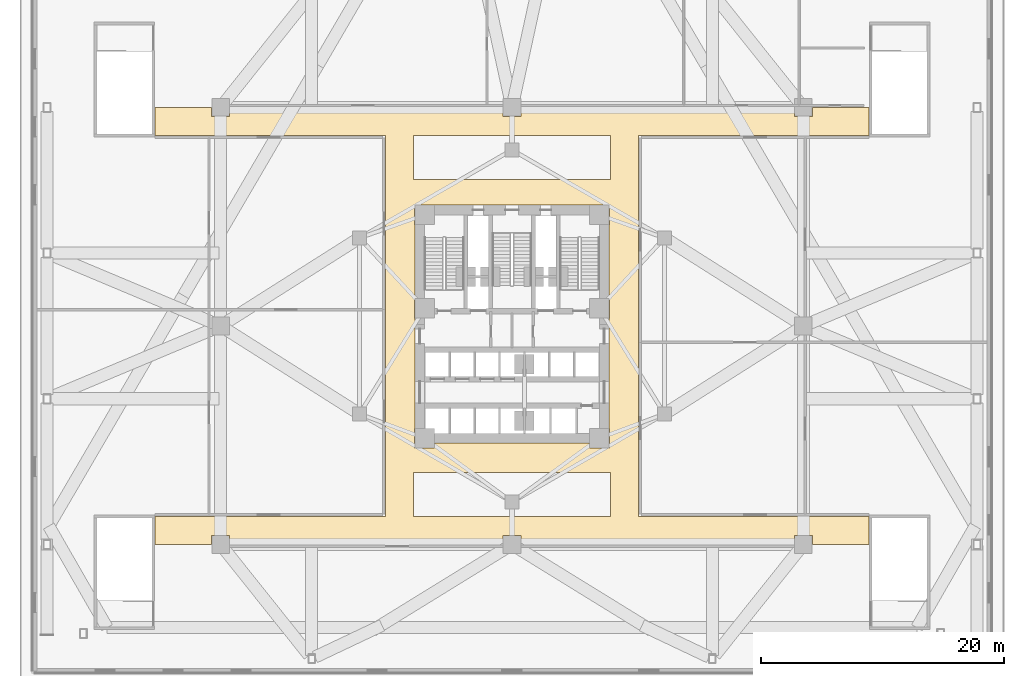
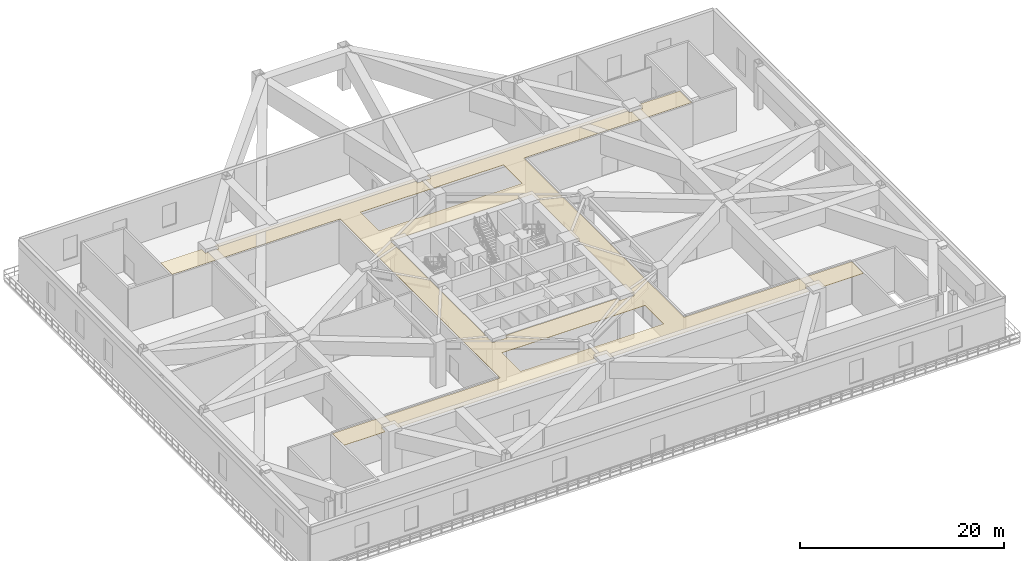
# One storey, part 12 of 15: 1 covering.
"""IFC4 building model written with IfcOpenShell, lengths in metres."""

from ifc_helpers import new_model, si_unit, direction, frame, origin, place, context, subcontext, project, spatial, polyline, outline, extrude, material, layer, layer_set, type_object, element, save


model = new_model("IFC4")

# Units and contexts
model_context = context("Model", 3, precision=1e-05, world=origin(), true_north=direction((0.0, 1.0)))
body_context = subcontext(model_context, "Body", "Model", "MODEL_VIEW")
ifc_project = project(units=[si_unit("LENGTHUNIT", "METRE"), si_unit("AREAUNIT", "SQUARE_METRE"), si_unit("VOLUMEUNIT", "CUBIC_METRE"), si_unit("PLANEANGLEUNIT", "RADIAN"), si_unit("MASSUNIT", "GRAM", prefix="KILO")], contexts=[model_context])

# Site, building, storey
site_placement = place(None, origin())
site = spatial("IfcSite", under=ifc_project, at=site_placement, CompositionType="ELEMENT")
building_placement = place(site_placement, origin())
building = spatial("IfcBuilding", under=site, at=building_placement, Name="Apsidion Concourse Tower", CompositionType="ELEMENT")
storey_placement = place(building_placement, frame((0.0, 0.0, 23.5)))
storey = spatial("IfcBuildingStorey", under=building, at=storey_placement, Name="L04", CompositionType="ELEMENT", Elevation=23.5)

# Covering
ifc_material = material(Name="Acoustic mineral fibre ceiling")
ifc_layer = layer(ifc_material, 0.0400390625)
ifc_layer_set = layer_set([ifc_layer], Name="Acoustic mineral fibre ceiling")
covering_type = type_object("IfcCoveringType", Name="COV-CEIL-40", PredefinedType="CEILING", material=ifc_layer_set)
covering_placement = place(storey_placement, frame((0.0, 0.0, 5.050048828125)))
element("IfcCovering", 1, at=covering_placement, inside=storey, type_object=covering_type, Name="L04 Acoustic Ceiling Grid 2", PredefinedType="CEILING", context=body_context, shape_type="SweptSolid", body=[
    extrude(outline(polyline([(8.10009765625, -18.0), (0.7451171875, -18.0), (0.7451171875, -17.27490234375), (0.744873046875, -17.27294921875), (0.74462890625, -17.27099609375), (0.744140625, -17.269287109375), (0.743408203125, -17.267333984375), (0.74267578125, -17.265625), (0.74169921875, -17.263916015625), (0.740478515625, -17.26220703125), (0.739013671875, -17.260986328125), (0.73779296875, -17.259521484375), (0.736083984375, -17.25830078125), (0.734375, -17.25732421875), (0.732666015625, -17.256591796875), (0.730712890625, -17.255859375), (0.72900390625, -17.25537109375), (0.72705078125, -17.255126953125), (0.72509765625, -17.2548828125), (-0.72509765625, -17.2548828125), (-0.72705078125, -17.255126953125), (-0.72900390625, -17.25537109375), (-0.730712890625, -17.255859375), (-0.732666015625, -17.256591796875), (-0.734375, -17.25732421875), (-0.736083984375, -17.25830078125), (-0.73779296875, -17.259521484375), (-0.739013671875, -17.260986328125), (-0.740478515625, -17.26220703125), (-0.74169921875, -17.263916015625), (-0.74267578125, -17.265625), (-0.743408203125, -17.267333984375), (-0.744140625, -17.269287109375), (-0.74462890625, -17.27099609375), (-0.744873046875, -17.27294921875), (-0.7451171875, -17.27490234375), (-0.7451171875, -18.0), (-8.10009765625, -18.0), (-10.39990234375, -18.0), (-23.2548828125, -18.0), (-23.2548828125, -17.27490234375), (-23.255126953125, -17.27294921875), (-23.25537109375, -17.27099609375), (-23.255859375, -17.269287109375), (-23.256591796875, -17.267333984375), (-23.25732421875, -17.265625), (-23.25830078125, -17.263916015625), (-23.259521484375, -17.26220703125), (-23.260986328125, -17.260986328125), (-23.26220703125, -17.259521484375), (-23.263916015625, -17.25830078125), (-23.265625, -17.25732421875), (-23.267333984375, -17.256591796875), (-23.269287109375, -17.255859375), (-23.27099609375, -17.25537109375), (-23.27294921875, -17.255126953125), (-23.27490234375, -17.2548828125), (-24.72509765625, -17.2548828125), (-24.72705078125, -17.255126953125), (-24.72900390625, -17.25537109375), (-24.730712890625, -17.255859375), (-24.732666015625, -17.256591796875), (-24.734375, -17.25732421875), (-24.736083984375, -17.25830078125), (-24.73779296875, -17.259521484375), (-24.739013671875, -17.260986328125), (-24.740478515625, -17.26220703125), (-24.74169921875, -17.263916015625), (-24.74267578125, -17.265625), (-24.743408203125, -17.267333984375), (-24.744140625, -17.269287109375), (-24.74462890625, -17.27099609375), (-24.744873046875, -17.27294921875), (-24.7451171875, -17.27490234375), (-24.7451171875, -18.0), (-29.39990234375, -18.0), (-29.39990234375, -15.699951171875), (-10.39990234375, -15.699951171875), (-10.39990234375, -12.050048828125), (-10.39990234375, 12.050048828125), (-10.39990234375, 15.699951171875), (-29.39990234375, 15.699951171875), (-29.39990234375, 18.0), (-24.7451171875, 18.0), (-24.7451171875, 17.27490234375), (-24.744873046875, 17.27294921875), (-24.74462890625, 17.27099609375), (-24.744140625, 17.269287109375), (-24.743408203125, 17.267333984375), (-24.74267578125, 17.265625), (-24.74169921875, 17.263916015625), (-24.740478515625, 17.26220703125), (-24.739013671875, 17.260986328125), (-24.73779296875, 17.259521484375), (-24.736083984375, 17.25830078125), (-24.734375, 17.25732421875), (-24.732666015625, 17.256591796875), (-24.730712890625, 17.255859375), (-24.72900390625, 17.25537109375), (-24.72705078125, 17.255126953125), (-24.72509765625, 17.2548828125), (-23.27490234375, 17.2548828125), (-23.27294921875, 17.255126953125), (-23.27099609375, 17.25537109375), (-23.269287109375, 17.255859375), (-23.267333984375, 17.256591796875), (-23.265625, 17.25732421875), (-23.263916015625, 17.25830078125), (-23.26220703125, 17.259521484375), (-23.260986328125, 17.260986328125), (-23.259521484375, 17.26220703125), (-23.25830078125, 17.263916015625), (-23.25732421875, 17.265625), (-23.256591796875, 17.267333984375), (-23.255859375, 17.269287109375), (-23.25537109375, 17.27099609375), (-23.255126953125, 17.27294921875), (-23.2548828125, 17.27490234375), (-23.2548828125, 18.0), (-10.39990234375, 18.0), (-8.10009765625, 18.0), (-0.7451171875, 18.0), (-0.7451171875, 17.27490234375), (-0.744873046875, 17.27294921875), (-0.74462890625, 17.27099609375), (-0.744140625, 17.269287109375), (-0.743408203125, 17.267333984375), (-0.74267578125, 17.265625), (-0.74169921875, 17.263916015625), (-0.740478515625, 17.26220703125), (-0.739013671875, 17.260986328125), (-0.73779296875, 17.259521484375), (-0.736083984375, 17.25830078125), (-0.734375, 17.25732421875), (-0.732666015625, 17.256591796875), (-0.730712890625, 17.255859375), (-0.72900390625, 17.25537109375), (-0.72705078125, 17.255126953125), (-0.72509765625, 17.2548828125), (0.72509765625, 17.2548828125), (0.72705078125, 17.255126953125), (0.72900390625, 17.25537109375), (0.730712890625, 17.255859375), (0.732666015625, 17.256591796875), (0.734375, 17.25732421875), (0.736083984375, 17.25830078125), (0.73779296875, 17.259521484375), (0.739013671875, 17.260986328125), (0.740478515625, 17.26220703125), (0.74169921875, 17.263916015625), (0.74267578125, 17.265625), (0.743408203125, 17.267333984375), (0.744140625, 17.269287109375), (0.74462890625, 17.27099609375), (0.744873046875, 17.27294921875), (0.7451171875, 17.27490234375), (0.7451171875, 18.0), (8.10009765625, 18.0), (10.39990234375, 18.0), (23.2548828125, 18.0), (23.2548828125, 17.27490234375), (23.255126953125, 17.27294921875), (23.25537109375, 17.27099609375), (23.255859375, 17.269287109375), (23.256591796875, 17.267333984375), (23.25732421875, 17.265625), (23.25830078125, 17.263916015625), (23.259521484375, 17.26220703125), (23.260986328125, 17.260986328125), (23.26220703125, 17.259521484375), (23.263916015625, 17.25830078125), (23.265625, 17.25732421875), (23.267333984375, 17.256591796875), (23.269287109375, 17.255859375), (23.27099609375, 17.25537109375), (23.27294921875, 17.255126953125), (23.27490234375, 17.2548828125), (24.72509765625, 17.2548828125), (24.72705078125, 17.255126953125), (24.72900390625, 17.25537109375), (24.730712890625, 17.255859375), (24.732666015625, 17.256591796875), (24.734375, 17.25732421875), (24.736083984375, 17.25830078125), (24.73779296875, 17.259521484375), (24.739013671875, 17.260986328125), (24.740478515625, 17.26220703125), (24.74169921875, 17.263916015625), (24.74267578125, 17.265625), (24.743408203125, 17.267333984375), (24.744140625, 17.269287109375), (24.74462890625, 17.27099609375), (24.744873046875, 17.27294921875), (24.7451171875, 17.27490234375), (24.7451171875, 18.0), (29.39990234375, 18.0), (29.39990234375, 15.699951171875), (10.39990234375, 15.699951171875), (10.39990234375, 12.050048828125), (10.39990234375, -12.050048828125), (10.39990234375, -15.699951171875), (29.39990234375, -15.699951171875), (29.39990234375, -18.0), (24.7451171875, -18.0), (24.7451171875, -17.27490234375), (24.744873046875, -17.27294921875), (24.74462890625, -17.27099609375), (24.744140625, -17.269287109375), (24.743408203125, -17.267333984375), (24.74267578125, -17.265625), (24.74169921875, -17.263916015625), (24.740478515625, -17.26220703125), (24.739013671875, -17.260986328125), (24.73779296875, -17.259521484375), (24.736083984375, -17.25830078125), (24.734375, -17.25732421875), (24.732666015625, -17.256591796875), (24.730712890625, -17.255859375), (24.72900390625, -17.25537109375), (24.72705078125, -17.255126953125), (24.72509765625, -17.2548828125), (23.27490234375, -17.2548828125), (23.27294921875, -17.255126953125), (23.27099609375, -17.25537109375), (23.269287109375, -17.255859375), (23.267333984375, -17.256591796875), (23.265625, -17.25732421875), (23.263916015625, -17.25830078125), (23.26220703125, -17.259521484375), (23.260986328125, -17.260986328125), (23.259521484375, -17.26220703125), (23.25830078125, -17.263916015625), (23.25732421875, -17.265625), (23.256591796875, -17.267333984375), (23.255859375, -17.269287109375), (23.25537109375, -17.27099609375), (23.255126953125, -17.27294921875), (23.2548828125, -17.27490234375), (23.2548828125, -18.0), (10.39990234375, -18.0), (8.10009765625, -18.0)]), holes=[polyline([(8.10009765625, -12.050048828125), (-8.10009765625, -12.050048828125), (-8.10009765625, -15.699951171875), (8.10009765625, -15.699951171875), (8.10009765625, -12.050048828125)]), polyline([(-8.10009765625, 15.699951171875), (-8.10009765625, 12.050048828125), (8.10009765625, 12.050048828125), (8.10009765625, 15.699951171875), (-8.10009765625, 15.699951171875)]), polyline([(6.3798828125, -9.64990234375), (6.3798828125, -10.050048828125), (6.380126953125, -10.052001953125), (6.38037109375, -10.053955078125), (6.380859375, -10.055908203125), (6.381591796875, -10.0576171875), (6.38232421875, -10.059326171875), (6.38330078125, -10.06103515625), (6.384521484375, -10.062744140625), (6.385986328125, -10.064208984375), (6.38720703125, -10.0654296875), (6.388916015625, -10.066650390625), (6.390625, -10.067626953125), (6.392333984375, -10.068603515625), (6.394287109375, -10.069091796875), (6.39599609375, -10.069580078125), (6.39794921875, -10.06982421875), (6.39990234375, -10.070068359375), (8.0, -10.070068359375), (8.001953125, -10.06982421875), (8.00390625, -10.069580078125), (8.005859375, -10.069091796875), (8.0078125, -10.068603515625), (8.009521484375, -10.067626953125), (8.010986328125, -10.066650390625), (8.0126953125, -10.0654296875), (8.01416015625, -10.064208984375), (8.015380859375, -10.062744140625), (8.0166015625, -10.06103515625), (8.017578125, -10.059326171875), (8.0185546875, -10.0576171875), (8.01904296875, -10.055908203125), (8.01953125, -10.053955078125), (8.02001953125, -10.052001953125), (8.02001953125, -10.050048828125), (8.02001953125, -8.449951171875), (8.02001953125, -8.447998046875), (8.01953125, -8.446044921875), (8.01904296875, -8.444091796875), (8.0185546875, -8.4423828125), (8.017578125, -8.440673828125), (8.0166015625, -8.43896484375), (8.015380859375, -8.437255859375), (8.01416015625, -8.435791015625), (8.0126953125, -8.4345703125), (8.010986328125, -8.433349609375), (8.009521484375, -8.432373046875), (8.0078125, -8.431396484375), (8.005859375, -8.430908203125), (8.00390625, -8.430419921875), (8.001953125, -8.43017578125), (8.0, -8.429931640625), (8.0, 0.6298828125), (8.001953125, 0.630126953125), (8.00390625, 0.63037109375), (8.005859375, 0.630859375), (8.0078125, 0.631591796875), (8.009521484375, 0.63232421875), (8.010986328125, 0.63330078125), (8.0126953125, 0.634521484375), (8.01416015625, 0.635986328125), (8.015380859375, 0.63720703125), (8.0166015625, 0.638916015625), (8.017578125, 0.640625), (8.0185546875, 0.642333984375), (8.01904296875, 0.644287109375), (8.01953125, 0.64599609375), (8.02001953125, 0.64794921875), (8.02001953125, 0.64990234375), (8.02001953125, 2.25), (8.02001953125, 2.251953125), (8.01953125, 2.25390625), (8.01904296875, 2.255859375), (8.0185546875, 2.2578125), (8.017578125, 2.259521484375), (8.0166015625, 2.260986328125), (8.015380859375, 2.2626953125), (8.01416015625, 2.26416015625), (8.0126953125, 2.265380859375), (8.010986328125, 2.2666015625), (8.009521484375, 2.267578125), (8.0078125, 2.2685546875), (8.005859375, 2.26904296875), (8.00390625, 2.26953125), (8.001953125, 2.27001953125), (8.0, 2.27001953125), (8.0, 8.330078125), (8.001953125, 8.330078125), (8.00390625, 8.330322265625), (8.005859375, 8.330810546875), (8.0078125, 8.33154296875), (8.009521484375, 8.33251953125), (8.010986328125, 8.33349609375), (8.0126953125, 8.33447265625), (8.01416015625, 8.3359375), (8.015380859375, 8.33740234375), (8.0166015625, 8.3388671875), (8.017578125, 8.340576171875), (8.0185546875, 8.34228515625), (8.01904296875, 8.34423828125), (8.01953125, 8.34619140625), (8.02001953125, 8.347900390625), (8.02001953125, 8.35009765625), (8.02001953125, 9.949951171875), (8.02001953125, 9.951904296875), (8.01953125, 9.953857421875), (8.01904296875, 9.955810546875), (8.0185546875, 9.957763671875), (8.017578125, 9.95947265625), (8.0166015625, 9.961181640625), (8.015380859375, 9.962646484375), (8.01416015625, 9.964111328125), (8.0126953125, 9.965576171875), (8.010986328125, 9.966552734375), (8.009521484375, 9.967529296875), (8.0078125, 9.968505859375), (8.005859375, 9.968994140625), (8.00390625, 9.969482421875), (8.001953125, 9.969970703125), (8.0, 9.969970703125), (6.39990234375, 9.969970703125), (6.39794921875, 9.969970703125), (6.39599609375, 9.969482421875), (6.394287109375, 9.968994140625), (6.392333984375, 9.968505859375), (6.390625, 9.967529296875), (6.388916015625, 9.966552734375), (6.38720703125, 9.965576171875), (6.385986328125, 9.964111328125), (6.384521484375, 9.962646484375), (6.38330078125, 9.961181640625), (6.38232421875, 9.95947265625), (6.381591796875, 9.957763671875), (6.380859375, 9.955810546875), (6.38037109375, 9.953857421875), (6.380126953125, 9.951904296875), (6.3798828125, 9.949951171875), (6.3798828125, 9.949951171875), (-6.3798828125, 9.949951171875), (-6.3798828125, 9.949951171875), (-6.380126953125, 9.951904296875), (-6.38037109375, 9.953857421875), (-6.380859375, 9.955810546875), (-6.381591796875, 9.957763671875), (-6.38232421875, 9.95947265625), (-6.38330078125, 9.961181640625), (-6.384521484375, 9.962646484375), (-6.385986328125, 9.964111328125), (-6.38720703125, 9.965576171875), (-6.388916015625, 9.966552734375), (-6.390625, 9.967529296875), (-6.392333984375, 9.968505859375), (-6.394287109375, 9.968994140625), (-6.39599609375, 9.969482421875), (-6.39794921875, 9.969970703125), (-6.39990234375, 9.969970703125), (-8.0, 9.969970703125), (-8.001953125, 9.969970703125), (-8.00390625, 9.969482421875), (-8.005859375, 9.968994140625), (-8.0078125, 9.968505859375), (-8.009521484375, 9.967529296875), (-8.010986328125, 9.966552734375), (-8.0126953125, 9.965576171875), (-8.01416015625, 9.964111328125), (-8.015380859375, 9.962646484375), (-8.0166015625, 9.961181640625), (-8.017578125, 9.95947265625), (-8.0185546875, 9.957763671875), (-8.01904296875, 9.955810546875), (-8.01953125, 9.953857421875), (-8.02001953125, 9.951904296875), (-8.02001953125, 9.949951171875), (-8.02001953125, 8.35009765625), (-8.02001953125, 8.347900390625), (-8.01953125, 8.34619140625), (-8.01904296875, 8.34423828125), (-8.0185546875, 8.34228515625), (-8.017578125, 8.340576171875), (-8.0166015625, 8.3388671875), (-8.015380859375, 8.33740234375), (-8.01416015625, 8.3359375), (-8.0126953125, 8.33447265625), (-8.010986328125, 8.33349609375), (-8.009521484375, 8.33251953125), (-8.0078125, 8.33154296875), (-8.005859375, 8.330810546875), (-8.00390625, 8.330322265625), (-8.001953125, 8.330078125), (-8.0, 8.330078125), (-8.0, 2.27001953125), (-8.001953125, 2.27001953125), (-8.00390625, 2.26953125), (-8.005859375, 2.26904296875), (-8.0078125, 2.2685546875), (-8.009521484375, 2.267578125), (-8.010986328125, 2.2666015625), (-8.0126953125, 2.265380859375), (-8.01416015625, 2.26416015625), (-8.015380859375, 2.2626953125), (-8.0166015625, 2.260986328125), (-8.017578125, 2.259521484375), (-8.0185546875, 2.2578125), (-8.01904296875, 2.255859375), (-8.01953125, 2.25390625), (-8.02001953125, 2.251953125), (-8.02001953125, 2.25), (-8.02001953125, 0.64990234375), (-8.02001953125, 0.64794921875), (-8.01953125, 0.64599609375), (-8.01904296875, 0.644287109375), (-8.0185546875, 0.642333984375), (-8.017578125, 0.640625), (-8.0166015625, 0.638916015625), (-8.015380859375, 0.63720703125), (-8.01416015625, 0.635986328125), (-8.0126953125, 0.634521484375), (-8.010986328125, 0.63330078125), (-8.009521484375, 0.63232421875), (-8.0078125, 0.631591796875), (-8.005859375, 0.630859375), (-8.00390625, 0.63037109375), (-8.001953125, 0.630126953125), (-8.0, 0.6298828125), (-8.0, -8.429931640625), (-8.001953125, -8.43017578125), (-8.00390625, -8.430419921875), (-8.005859375, -8.430908203125), (-8.0078125, -8.431396484375), (-8.009521484375, -8.432373046875), (-8.010986328125, -8.433349609375), (-8.0126953125, -8.4345703125), (-8.01416015625, -8.435791015625), (-8.015380859375, -8.437255859375), (-8.0166015625, -8.43896484375), (-8.017578125, -8.440673828125), (-8.0185546875, -8.4423828125), (-8.01904296875, -8.444091796875), (-8.01953125, -8.446044921875), (-8.02001953125, -8.447998046875), (-8.02001953125, -8.449951171875), (-8.02001953125, -10.050048828125), (-8.02001953125, -10.052001953125), (-8.01953125, -10.053955078125), (-8.01904296875, -10.055908203125), (-8.0185546875, -10.0576171875), (-8.017578125, -10.059326171875), (-8.0166015625, -10.06103515625), (-8.015380859375, -10.062744140625), (-8.01416015625, -10.064208984375), (-8.0126953125, -10.0654296875), (-8.010986328125, -10.066650390625), (-8.009521484375, -10.067626953125), (-8.0078125, -10.068603515625), (-8.005859375, -10.069091796875), (-8.00390625, -10.069580078125), (-8.001953125, -10.06982421875), (-8.0, -10.070068359375), (-6.39990234375, -10.070068359375), (-6.39794921875, -10.06982421875), (-6.39599609375, -10.069580078125), (-6.394287109375, -10.069091796875), (-6.392333984375, -10.068603515625), (-6.390625, -10.067626953125), (-6.388916015625, -10.066650390625), (-6.38720703125, -10.0654296875), (-6.385986328125, -10.064208984375), (-6.384521484375, -10.062744140625), (-6.38330078125, -10.06103515625), (-6.38232421875, -10.059326171875), (-6.381591796875, -10.0576171875), (-6.380859375, -10.055908203125), (-6.38037109375, -10.053955078125), (-6.380126953125, -10.052001953125), (-6.3798828125, -10.050048828125), (-6.3798828125, -9.64990234375), (6.3798828125, -9.64990234375)])]), origin(), (0.0, 0.0, 1.0), 0.0400390625),
])

save(model, "model.ifc")
